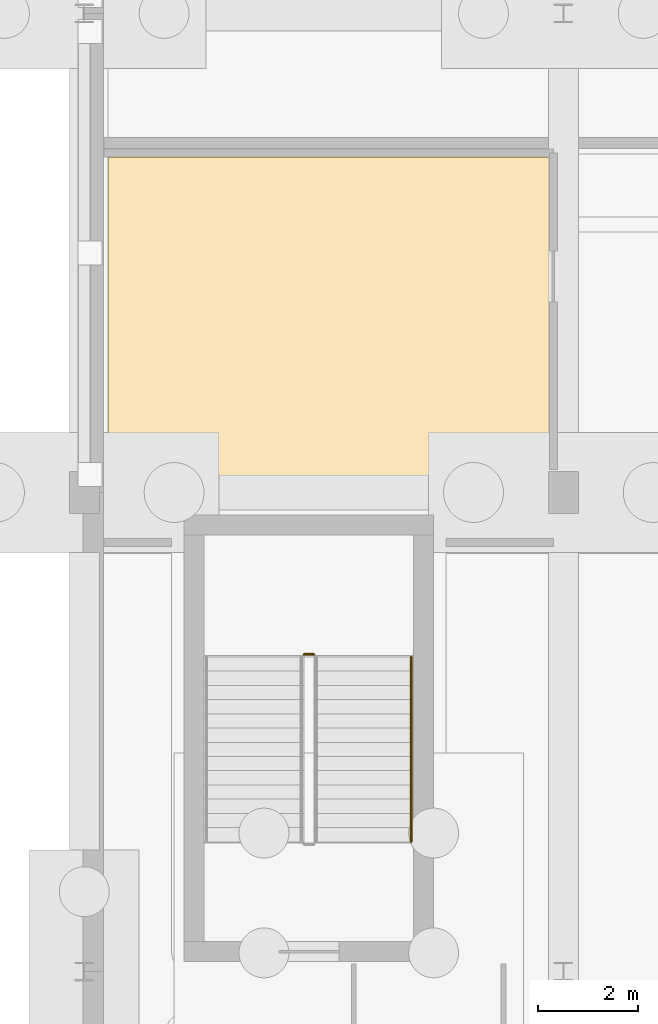
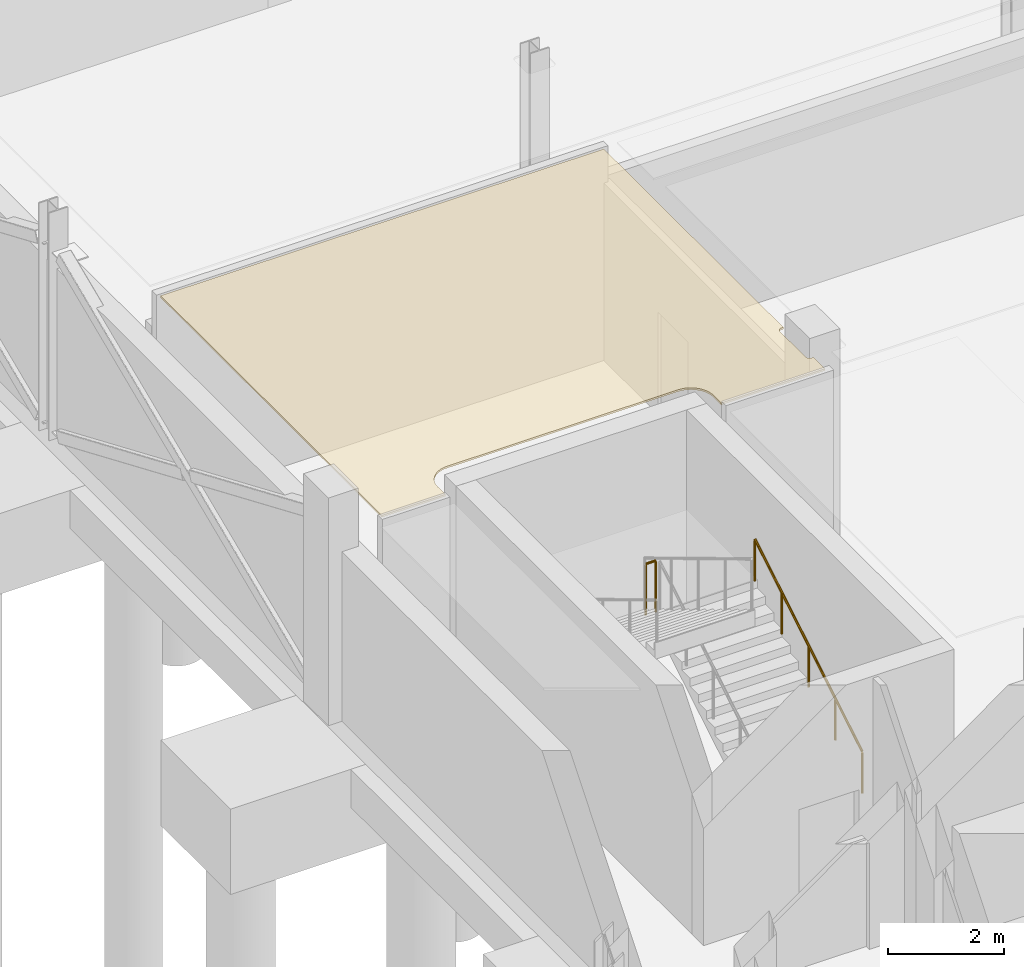
# One storey, part 46 of 67: 2 railings, 1 covering.
"""IFC4 building model written with IfcOpenShell, lengths in metres."""

from ifc_helpers import new_model, si_unit, direction, frame, origin, origin_2d, place, context, subcontext, project, spatial, polyline, circle, outline, extrude, material, layer, layer_set, type_object, element, save


model = new_model("IFC4")

# Units and contexts
model_context = context("Model", 3, precision=1e-05, world=origin(), true_north=direction((0.0, 1.0)))
body_context = subcontext(model_context, "Body", "Model", "MODEL_VIEW")
ifc_project = project(units=[si_unit("LENGTHUNIT", "METRE"), si_unit("AREAUNIT", "SQUARE_METRE"), si_unit("VOLUMEUNIT", "CUBIC_METRE"), si_unit("PLANEANGLEUNIT", "RADIAN"), si_unit("MASSUNIT", "GRAM", prefix="KILO")], contexts=[model_context])

# Site, building, storey
site_placement = place(None, origin())
site = spatial("IfcSite", under=ifc_project, at=site_placement, CompositionType="ELEMENT")
building_placement = place(site_placement, origin())
building = spatial("IfcBuilding", under=site, at=building_placement, Name="Caelomonte Colonnade Arena", CompositionType="ELEMENT")
storey_placement = place(building_placement, frame((0.0, 0.0, -4.800048828125)))
storey = spatial("IfcBuildingStorey", under=building, at=storey_placement, Name="B1", CompositionType="ELEMENT", Elevation=-4.800048828125)

# Covering
ifc_material_1 = material(Name="Perforated acoustic mineral-fibre ceiling")
ifc_layer = layer(ifc_material_1, 0.0400390625)
ifc_layer_set = layer_set([ifc_layer], Name="Perforated acoustic mineral-fibre ceiling")
covering_type = type_object("IfcCoveringType", Name="INT-CV-CEIL1", PredefinedType="CEILING", material=ifc_layer_set)
covering_placement = place(storey_placement, frame((0.0, 0.0, 4.420166015625)))
element("IfcCovering", 1, at=covering_placement, inside=storey, type_object=covering_type, Name="B1 Athlete Accessible WC acoustic ceiling", PredefinedType="CEILING", context=body_context, shape_type="SweptSolid", body=[
    extrude(outline(polyline([(0.47998046875, 66.280029296875), (1.75, 66.280029296875), (1.75, 66.550048828125), (1.752197265625, 66.593994140625), (1.758544921875, 66.6376953125), (1.769287109375, 66.6806640625), (1.7841796875, 66.72216796875), (1.802978515625, 66.76220703125), (1.82568359375, 66.800048828125), (1.85205078125, 66.83544921875), (1.8818359375, 66.8681640625), (1.91455078125, 66.89794921875), (1.949951171875, 66.92431640625), (1.98779296875, 66.947021484375), (2.02783203125, 66.9658203125), (2.0693359375, 66.980712890625), (2.1123046875, 66.991455078125), (2.156005859375, 66.997802734375), (2.199951171875, 67.0), (6.800048828125, 67.0), (6.843994140625, 66.997802734375), (6.8876953125, 66.991455078125), (6.9306640625, 66.980712890625), (6.97216796875, 66.9658203125), (7.01220703125, 66.947021484375), (7.050048828125, 66.92431640625), (7.08544921875, 66.89794921875), (7.1181640625, 66.8681640625), (7.14794921875, 66.83544921875), (7.17431640625, 66.800048828125), (7.197021484375, 66.76220703125), (7.2158203125, 66.72216796875), (7.230712890625, 66.6806640625), (7.241455078125, 66.6376953125), (7.247802734375, 66.593994140625), (7.25, 66.550048828125), (7.25, 66.280029296875), (9.320068359375, 66.280029296875), (9.320068359375, 66.679931640625), (9.284912109375, 66.679931640625), (9.277099609375, 66.680419921875), (9.269287109375, 66.681396484375), (9.26171875, 66.683349609375), (9.25439453125, 66.68603515625), (9.247314453125, 66.689453125), (9.240478515625, 66.693603515625), (9.234130859375, 66.6982421875), (9.228515625, 66.703369140625), (9.22314453125, 66.709228515625), (9.218505859375, 66.715576171875), (9.21435546875, 66.722412109375), (9.211181640625, 66.7294921875), (9.20849609375, 66.73681640625), (9.20654296875, 66.744384765625), (9.205322265625, 66.752197265625), (9.205078125, 66.760009765625), (9.205078125, 67.639892578125), (9.205322265625, 67.647705078125), (9.20654296875, 67.655517578125), (9.20849609375, 67.6630859375), (9.211181640625, 67.670654296875), (9.21435546875, 67.677734375), (9.218505859375, 67.684326171875), (9.22314453125, 67.69091796875), (9.228515625, 67.696533203125), (9.234130859375, 67.701904296875), (9.240478515625, 67.70654296875), (9.247314453125, 67.710693359375), (9.25439453125, 67.7138671875), (9.26171875, 67.716552734375), (9.269287109375, 67.718505859375), (9.277099609375, 67.719482421875), (9.284912109375, 67.719970703125), (9.320068359375, 67.719970703125), (9.320068359375, 73.919921875), (0.47998046875, 73.919921875), (0.47998046875, 66.280029296875)])), origin(), (0.0, 0.0, 1.0), 0.039794921875),
])

# Railings
ifc_material_2 = material(Name="Painted galvanized steel stair guard", Category="steel")
railing_type_1 = type_object("IfcRailingType", Name="INT-RL-GRD", PredefinedType="GUARDRAIL", material=ifc_material_2)
railing_1_placement = place(storey_placement, frame((4.60009765625, 63.955078125, 2.400146484375)))
element("IfcRailing", 2, at=railing_1_placement, inside=storey, type_object=railing_type_1, Name="B1 ST-08 stair guard 2", PredefinedType="GUARDRAIL", context=body_context, shape_type="SweptSolid", body=[
    extrude(circle(Radius=0.02392578125, at=origin_2d()), frame((0.0, 0.0, 1.076171875), z_axis=(-1.0, 0.0, 0.0), x_axis=(0.0, -1.0, 0.0)), (0.0, 0.0, 1.0), 0.2001953125),
    extrude(circle(Radius=0.02099609375, at=origin_2d()), origin(), (0.0, 0.0, 1.0), 1.048095703125),
    extrude(circle(Radius=0.02099609375, at=origin_2d()), frame((-0.2001953125, 0.0, 0.0)), (0.0, 0.0, 1.0), 1.048095703125),
])
ifc_material_3 = material(Name="Brushed stainless steel stair handrail", Category="steel")
railing_type_2 = type_object("IfcRailingType", Name="INT-RL-HR", PredefinedType="HANDRAIL", material=ifc_material_3)
railing_2_placement = place(storey_placement, frame((6.550048828125, 60.199951171875, 0.17138671875)))
element("IfcRailing", 3, at=railing_2_placement, inside=storey, type_object=railing_type_2, Name="B1 ST-08 stair handrail 1", PredefinedType="HANDRAIL", context=body_context, shape_type="SweptSolid", body=[
    extrude(circle(Radius=0.02392578125, at=origin_2d()), frame((0.0, 0.0, 0.8759765625), z_axis=(0.0, 0.856909459561, 0.515466951525), x_axis=(-1.0, 0.0, 0.0)), (0.0, 0.0, 1.0), 4.32373046875),
    extrude(circle(Radius=0.02099609375, at=origin_2d()), origin(), (0.0, 0.0, 1.0), 0.847900390625),
    extrude(circle(Radius=0.02099609375, at=origin_2d()), frame((0.0, 0.92626953125, 0.55712890625)), (0.0, 0.0, 1.0), 0.847900390625),
    extrude(circle(Radius=0.02099609375, at=origin_2d()), frame((0.0, 1.8525390625, 1.1142578125)), (0.0, 0.0, 1.0), 0.847900390625),
    extrude(circle(Radius=0.02099609375, at=origin_2d()), frame((0.0, 2.77880859375, 1.671630859375)), (0.0, 0.0, 1.0), 0.847900390625),
    extrude(circle(Radius=0.02099609375, at=origin_2d()), frame((0.0, 3.705078125, 2.228759765625)), (0.0, 0.0, 1.0), 0.847900390625),
])

save(model, "model.ifc")
